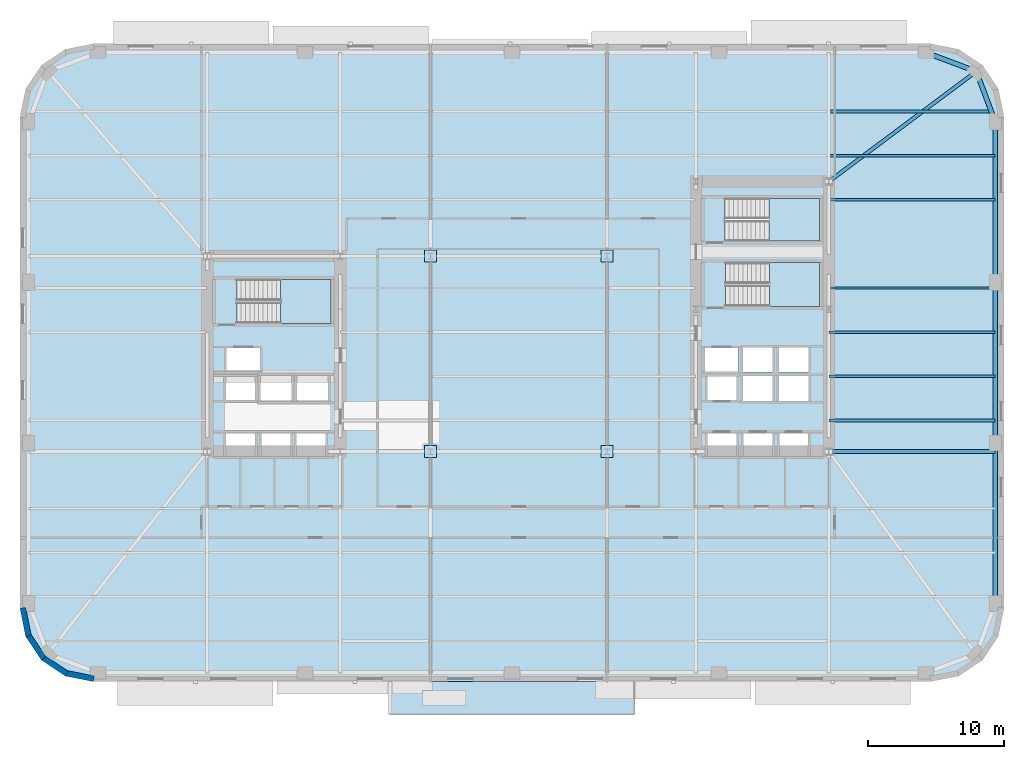
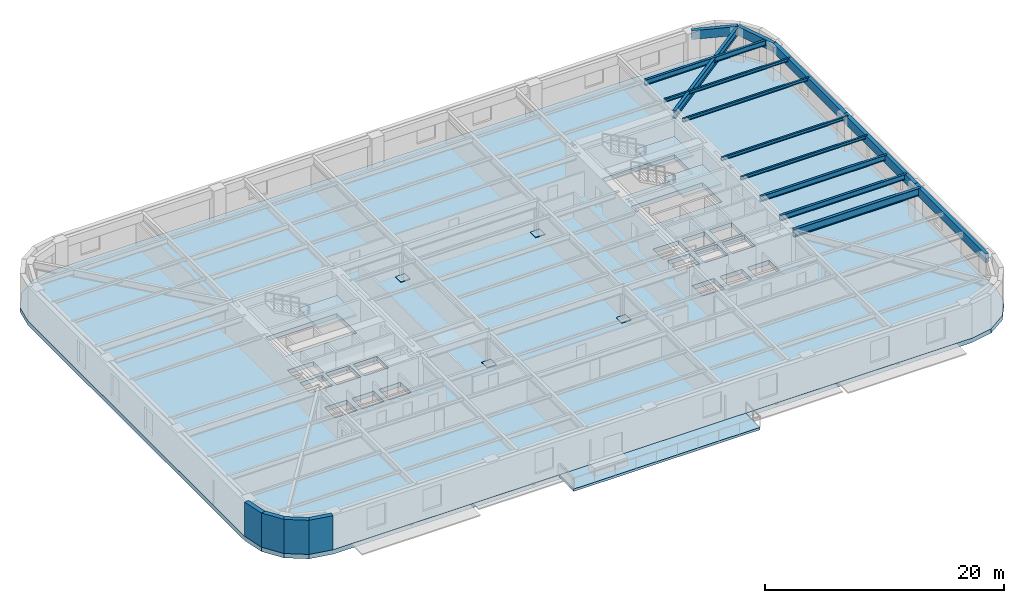
# One storey, part 3 of 15: 14 beams, 5 slabs, 4 plates, 4 walls, 3 elements without a shape of their own.
"""IFC4 building model written with IfcOpenShell, lengths in metres."""

from ifc_helpers import new_model, si_unit, direction, frame, frame_2d, origin, origin_2d, place, context, subcontext, project, spatial, polyline, rectangle, hollow_rectangle, i_section, outline, extrude, material, layer, layer_set, material_profile, profile_set, type_object, element, aggregate, save


model = new_model("IFC4")

# Units and contexts
model_context = context("Model", 3, precision=1e-05, world=origin(), true_north=direction((0.0, 1.0)))
body_context = subcontext(model_context, "Body", "Model", "MODEL_VIEW")
ifc_project = project(units=[si_unit("LENGTHUNIT", "METRE"), si_unit("AREAUNIT", "SQUARE_METRE"), si_unit("VOLUMEUNIT", "CUBIC_METRE"), si_unit("PLANEANGLEUNIT", "RADIAN"), si_unit("MASSUNIT", "GRAM", prefix="KILO")], contexts=[model_context])

# Site, building, storey
site_placement = place(None, origin())
site = spatial("IfcSite", under=ifc_project, at=site_placement, CompositionType="ELEMENT")
building_placement = place(site_placement, origin())
building = spatial("IfcBuilding", under=site, at=building_placement, Name="Kolvaren Arena Tower", CompositionType="ELEMENT")
storey_placement = place(building_placement, frame((0.0, 0.0, 42.0)))
storey = spatial("IfcBuildingStorey", under=building, at=storey_placement, Name="L07", CompositionType="ELEMENT", Elevation=42.0)

# Beams
ifc_material_1 = material(Name="Steel CSA G40.21 350W", Category="steel")
ifc_material_profile_1 = material_profile(ifc_material_1, i_section(OverallWidth=0.2119140625, OverallDepth=0.54296875, WebThickness=0.01318359375, FlangeThickness=0.0244140625, FilletRadius=0.013916015625, at=origin_2d()), Name="W530x150")
ifc_profile_set_1 = profile_set([ifc_material_profile_1], Name="Steel CSA G40.21 350W")
beam_type_1 = type_object("IfcBeamType", Name="BEAM-F1", PredefinedType="BEAM", material=ifc_profile_set_1)
for number, where, z_axis, x_axis, name in (
    (1, (60.3701171875, 21.75, 3.20849609375), (1.0, 0.0, 0.0), (0.0, 1.0, 0.0), "Composite Floor Beam (L07)"),
    (2, (60.3701171875, 25.0, 3.20849609375), (1.0, 0.0, 0.0), (0.0, 1.0, 0.0), "Composite Floor Beam (L07)"),
):
    element("IfcBeam", number, at=place(storey_placement, frame(where, z_axis=z_axis, x_axis=x_axis)), inside=storey, type_object=beam_type_1, Name=name, PredefinedType="BEAM", context=body_context, shape_type="SweptSolid", body=[
        extrude(i_section(OverallWidth=0.2119140625, OverallDepth=0.54296875, WebThickness=0.01318359375, FlangeThickness=0.0244140625, FilletRadius=0.013916015625, at=origin_2d()), origin(), (0.0, 0.0, 1.0), 12.22998046875),
    ])
beam_1_placement = place(storey_placement, frame((60.485107421875, 44.5, 3.20849609375), z_axis=(1.0, 0.0, 0.0), x_axis=(0.0, 1.0, 0.0)))
element("IfcBeam", 3, at=beam_1_placement, inside=storey, type_object=beam_type_1, Name="Composite Floor Beam (L07)", PredefinedType="BEAM", context=body_context, shape_type="SweptSolid", body=[
    extrude(i_section(OverallWidth=0.2119140625, OverallDepth=0.54296875, WebThickness=0.01318359375, FlangeThickness=0.0244140625, FilletRadius=0.013916015625, at=origin_2d()), origin(), (0.0, 0.0, 1.0), 11.83349609375),
])
ifc_material_profile_2 = material_profile(ifc_material_1, i_section(OverallWidth=0.27001953125, OverallDepth=0.77294921875, WebThickness=0.019287109375, FlangeThickness=0.033447265625, FilletRadius=0.01806640625, at=origin_2d()), Name="W760x257")
ifc_profile_set_2 = profile_set([ifc_material_profile_2], Name="Steel CSA G40.21 350W")
beam_type_2 = type_object("IfcBeamType", Name="GIRD-T1", PredefinedType="BEAM", material=ifc_profile_set_2)
beam_2_placement = place(storey_placement, frame((71.208740234375, 47.458740234375, 3.093505859375), z_axis=(-0.801249936397, -0.598329791523, 0.0), x_axis=(0.598329791523, -0.801249936397, 0.0)))
element("IfcBeam", 4, at=beam_2_placement, inside=storey, type_object=beam_type_2, Name="Corner Diagonal Tie Girder (L07)", PredefinedType="BEAM", context=body_context, shape_type="SweptSolid", body=[
    extrude(i_section(OverallWidth=0.27001953125, OverallDepth=0.77294921875, WebThickness=0.019287109375, FlangeThickness=0.033447265625, FilletRadius=0.01806640625, at=origin_2d()), origin(), (0.0, 0.0, 1.0), 13.55224609375),
])
beam_3_placement = place(storey_placement, frame((60.35009765625, 19.449951171875, 3.093505859375), z_axis=(1.0, 0.0, 0.0), x_axis=(0.0, 1.0, 0.0)))
element("IfcBeam", 5, at=beam_3_placement, inside=storey, type_object=beam_type_2, Name="Primary Floor Girder (L07)", PredefinedType="BEAM", context=body_context, shape_type="SweptSolid", body=[
    extrude(i_section(OverallWidth=0.27001953125, OverallDepth=0.77294921875, WebThickness=0.019287109375, FlangeThickness=0.033447265625, FilletRadius=0.01806640625, at=origin_2d()), origin(), (0.0, 0.0, 1.0), 12.25),
])
ifc_material_profile_3 = material_profile(ifc_material_1, i_section(OverallWidth=0.1669921875, OverallDepth=0.31689453125, WebThickness=0.007568359375, FlangeThickness=0.01318359375, FilletRadius=0.010009765625, at=origin_2d()), Name="W310x52")
ifc_profile_set_3 = profile_set([ifc_material_profile_3], Name="Steel CSA G40.21 350W")
beam_type_3 = type_object("IfcBeamType", Name="JOIST-02", PredefinedType="JOIST", material=ifc_profile_set_3)
for number, where, z_axis, x_axis, name in (
    (6, (60.3701171875, 28.25, 3.321533203125), (1.0, 0.0, 0.0), (0.0, 1.0, 0.0), "Composite Floor Joist (L07)"),
    (7, (60.3701171875, 31.5, 3.321533203125), (1.0, 0.0, 0.0), (0.0, 1.0, 0.0), "Composite Floor Joist (L07)"),
    (8, (60.3701171875, 38.0, 3.321533203125), (1.0, 0.0, 0.0), (0.0, 1.0, 0.0), "Composite Floor Joist (L07)"),
):
    element("IfcBeam", number, at=place(storey_placement, frame(where, z_axis=z_axis, x_axis=x_axis)), inside=storey, type_object=beam_type_3, Name=name, PredefinedType="JOIST", context=body_context, shape_type="SweptSolid", body=[
        extrude(i_section(OverallWidth=0.1669921875, OverallDepth=0.31689453125, WebThickness=0.007568359375, FlangeThickness=0.01318359375, FilletRadius=0.010009765625, at=origin_2d()), origin(), (0.0, 0.0, 1.0), 12.22998046875),
    ])
beam_4_placement = place(storey_placement, frame((60.485107421875, 41.25, 3.321533203125), z_axis=(1.0, 0.0, 0.0), x_axis=(0.0, 1.0, 0.0)))
element("IfcBeam", 9, at=beam_4_placement, inside=storey, type_object=beam_type_3, Name="Composite Floor Joist (L07)", PredefinedType="JOIST", context=body_context, shape_type="SweptSolid", body=[
    extrude(i_section(OverallWidth=0.1669921875, OverallDepth=0.31689453125, WebThickness=0.007568359375, FlangeThickness=0.01318359375, FilletRadius=0.010009765625, at=origin_2d()), origin(), (0.0, 0.0, 1.0), 12.114990234375),
])
ifc_material_2 = material(Name="Steel CSA G40.21 350WT", Category="steel")
ifc_material_profile_4 = material_profile(ifc_material_2, hollow_rectangle(XDim=0.35009765625, YDim=0.89990234375, WallThickness=0.02001953125, at=origin_2d()), Name="HSS 900x350x20")
ifc_profile_set_4 = profile_set([ifc_material_profile_4], Name="Steel CSA G40.21 350WT")
beam_type_4 = type_object("IfcBeamType", Name="SPAND-01", PredefinedType="SPANDREL", material=ifc_profile_set_4)
beam_5_placement = place(storey_placement, frame((72.60009765625, 8.25, 3.030029296875), z_axis=(0.0, 1.0, 0.0), x_axis=(-1.0, 0.0, 0.0)))
element("IfcBeam", 10, at=beam_5_placement, inside=storey, type_object=beam_type_4, Name="Perimeter Spandrel Beam (L07)", PredefinedType="SPANDREL", context=body_context, shape_type="SweptSolid", body=[
    extrude(hollow_rectangle(XDim=0.35009765625, YDim=0.89990234375, WallThickness=0.02001953125, at=origin_2d()), origin(), (0.0, 0.0, 1.0), 11.833251953125),
])
beam_6_placement = place(storey_placement, frame((72.60009765625, 20.083251953125, 3.030029296875), z_axis=(0.0, 1.0, 0.0), x_axis=(-1.0, 0.0, 0.0)))
element("IfcBeam", 11, at=beam_6_placement, inside=storey, type_object=beam_type_4, Name="Perimeter Spandrel Beam (L07)", PredefinedType="SPANDREL", context=body_context, shape_type="SweptSolid", body=[
    extrude(hollow_rectangle(XDim=0.35009765625, YDim=0.89990234375, WallThickness=0.02001953125, at=origin_2d()), origin(), (0.0, 0.0, 1.0), 11.83349609375),
])
beam_7_placement = place(storey_placement, frame((72.60009765625, 31.916748046875, 3.030029296875), z_axis=(0.0, 1.0, 0.0), x_axis=(-1.0, 0.0, 0.0)))
element("IfcBeam", 12, at=beam_7_placement, inside=storey, type_object=beam_type_4, Name="Perimeter Spandrel Beam (L07)", PredefinedType="SPANDREL", context=body_context, shape_type="SweptSolid", body=[
    extrude(hollow_rectangle(XDim=0.35009765625, YDim=0.89990234375, WallThickness=0.02001953125, at=origin_2d()), origin(), (0.0, 0.0, 1.0), 11.833251953125),
])
for number, where, z_axis, x_axis, name in (
    (13, (72.60009765625, 43.75, 3.030029296875), (-0.351251771955, 0.93628104365, 0.0), (-0.93628104365, -0.351251771955, 0.0), "Perimeter Spandrel Beam (L07)"),
    (14, (71.208740234375, 47.458740234375, 3.030029296875), (-0.93628104365, 0.351251771955, 0.0), (-0.351251771955, -0.93628104365, 0.0), "Perimeter Spandrel Beam (L07)"),
):
    element("IfcBeam", number, at=place(storey_placement, frame(where, z_axis=z_axis, x_axis=x_axis)), inside=storey, type_object=beam_type_4, Name=name, PredefinedType="SPANDREL", context=body_context, shape_type="SweptSolid", body=[
        extrude(hollow_rectangle(XDim=0.35009765625, YDim=0.89990234375, WallThickness=0.02001953125, at=origin_2d()), origin(), (0.0, 0.0, 1.0), 3.961181640625),
    ])

# Plates
ifc_layer_1 = layer(ifc_material_2, 0.054931640625)
ifc_layer_set_1 = layer_set([ifc_layer_1], Name="Steel CSA G40.21 350WT")
plate_type = type_object("IfcPlateType", Name="PLT-BAS-C1", PredefinedType="USERDEFINED", material=ifc_layer_set_1)
for number, where, z_axis, x_axis, name in (
    (15, (31.0, 19.449951171875, 0.0), (0.0, 0.0, 1.0), (1.0, 0.0, 0.0), "Tower Column Base Plate TC-SW"),
    (16, (44.0, 19.449951171875, 0.0), (0.0, 0.0, 1.0), (1.0, 0.0, 0.0), "Tower Column Base Plate TC-SE"),
    (17, (31.0, 33.85009765625, 0.0), (0.0, 0.0, 1.0), (1.0, 0.0, 0.0), "Tower Column Base Plate TC-NW"),
    (18, (44.0, 33.85009765625, 0.0), (0.0, 0.0, 1.0), (1.0, 0.0, 0.0), "Tower Column Base Plate TC-NE"),
):
    element("IfcPlate", number, at=place(storey_placement, frame(where, z_axis=z_axis, x_axis=x_axis)), inside=storey, type_object=plate_type, Name=name, ObjectType="BASE PLATE", PredefinedType="USERDEFINED", context=body_context, shape_type="SweptSolid", body=[
        extrude(rectangle(XDim=0.89990234375, YDim=0.89990234375, at=origin_2d()), origin(), (0.0, 0.0, 1.0), 0.054931640625),
    ])

# Stair, slab
ifc_material_3 = material(Name="Concrete 45 MPa", Category="concrete")
stair_type_1 = type_object("IfcStairType", Name="STAIR-CORE-165", PredefinedType="HALF_TURN_STAIR", material=ifc_material_3)
stair_1_placement = place(storey_placement, origin())
stair_1 = element("IfcStair", 19, at=stair_1_placement, inside=storey, type_object=stair_type_1, Name="L07 ST-W1", PredefinedType="HALF_TURN_STAIR")
ifc_layer_2 = layer(ifc_material_3, 0.199951171875)
ifc_layer_set_2 = layer_set([ifc_layer_2], Name="Concrete 45 MPa")
slab_type_1 = type_object("IfcSlabType", Name="SLAB-LAND", PredefinedType="LANDING", material=ifc_layer_set_2)
slab_1_placement = place(storey_placement, frame((0.0, 0.0, 1.675048828125)))
slab_1 = element("IfcSlab", 20, at=slab_1_placement, type_object=slab_type_1, Name="ST-W1 landing 1", PredefinedType="LANDING", context=body_context, shape_type="SweptSolid", body=[
    extrude(outline(polyline([(19.9599609375, 28.89990234375), (23.659912109375, 28.89990234375), (23.659912109375, 32.1298828125), (19.9599609375, 32.1298828125), (19.9599609375, 28.89990234375)])), origin(), (0.0, 0.0, 1.0), 0.199951171875),
])
aggregate(stair_1, [slab_1])

stair_2_placement = place(storey_placement, origin())
stair_2 = element("IfcStair", 21, at=stair_2_placement, inside=storey, type_object=stair_type_1, Name="L07 ST-E1", PredefinedType="HALF_TURN_STAIR")
slab_2_placement = place(storey_placement, frame((0.0, 0.0, 1.675048828125)))
slab_2 = element("IfcSlab", 22, at=slab_2_placement, type_object=slab_type_1, Name="ST-E1 landing 1", PredefinedType="LANDING", context=body_context, shape_type="SweptSolid", body=[
    extrude(outline(polyline([(55.9599609375, 30.14990234375), (59.659912109375, 30.14990234375), (59.659912109375, 33.3798828125), (55.9599609375, 33.3798828125), (55.9599609375, 30.14990234375)])), origin(), (0.0, 0.0, 1.0), 0.199951171875),
])
aggregate(stair_2, [slab_2])

stair_type_2 = type_object("IfcStairType", Name="STAIR-CORE-150", PredefinedType="HALF_TURN_STAIR", material=ifc_material_3)
stair_3_placement = place(storey_placement, origin())
stair_3 = element("IfcStair", 23, at=stair_3_placement, inside=storey, type_object=stair_type_2, Name="L07 ST-E2", PredefinedType="HALF_TURN_STAIR")
slab_3_placement = place(storey_placement, frame((0.0, 0.0, 1.675048828125)))
slab_3 = element("IfcSlab", 24, at=slab_3_placement, type_object=slab_type_1, Name="ST-E2 landing 1", PredefinedType="LANDING", context=body_context, shape_type="SweptSolid", body=[
    extrude(outline(polyline([(55.919921875, 34.949951171875), (59.659912109375, 34.949951171875), (59.659912109375, 38.10009765625), (55.919921875, 38.10009765625), (55.919921875, 34.949951171875)])), origin(), (0.0, 0.0, 1.0), 0.199951171875),
])
aggregate(stair_3, [slab_3])

# Slabs
ifc_layer_3 = layer(ifc_material_3, 0.2548828125)
ifc_layer_set_3 = layer_set([ifc_layer_3], Name="Concrete 45 MPa")
slab_type_2 = type_object("IfcSlabType", Name="SLAB-TERR", PredefinedType="FLOOR", material=ifc_layer_set_3)
slab_4_placement = place(storey_placement, frame((0.0, 0.0, -0.25)))
element("IfcSlab", 25, at=slab_4_placement, inside=storey, type_object=slab_type_2, Name="L07 Planted Setback Roof Terrace Slab", PredefinedType="FLOOR", context=body_context, shape_type="SweptSolid", body=[
    extrude(outline(polyline([(28.0, 0.10009765625), (46.0, 0.10009765625), (46.0, 2.5), (28.0, 2.5), (28.0, 0.10009765625)])), origin(), (0.0, 0.0, 1.0), 0.25),
])
ifc_material_4 = material(Name="Concrete 60 MPa", Category="concrete")
ifc_layer_4 = layer(ifc_material_4, 0.449951171875)
ifc_layer_set_4 = layer_set([ifc_layer_4], Name="Concrete 60 MPa")
slab_type_3 = type_object("IfcSlabType", Name="SLAB-TRANS", PredefinedType="FLOOR", material=ifc_layer_set_4)
slab_5_placement = place(storey_placement, frame((0.0, 0.0, -0.449951171875)))
element("IfcSlab", 26, at=slab_5_placement, inside=storey, type_object=slab_type_3, Name="L07 Primary Structural Slab", PredefinedType="FLOOR", context=body_context, shape_type="SweptSolid", body=[
    extrude(outline(polyline([(67.85009765625, 2.5), (69.91650390625, 2.9111328125), (71.66845703125, 4.08154296875), (72.8388671875, 5.83349609375), (73.25, 7.89990234375), (73.25, 44.10009765625), (72.8388671875, 46.16650390625), (71.66845703125, 47.91845703125), (69.91650390625, 49.0888671875), (67.85009765625, 49.5), (6.14990234375, 49.5), (4.08349609375, 49.0888671875), (2.33154296875, 47.91845703125), (1.1611328125, 46.16650390625), (0.75, 44.10009765625), (0.75, 7.89990234375), (1.1611328125, 5.83349609375), (2.33154296875, 4.08154296875), (4.08349609375, 2.9111328125), (6.14990234375, 2.5), (67.85009765625, 2.5)]), holes=[polyline([(15.93505859375, 19.0849609375), (15.93505859375, 20.81494140625), (18.06494140625, 20.81494140625), (18.06494140625, 19.0849609375), (15.93505859375, 19.0849609375)]), polyline([(18.534912109375, 19.0849609375), (18.534912109375, 20.81494140625), (20.6650390625, 20.81494140625), (20.6650390625, 19.0849609375), (18.534912109375, 19.0849609375)]), polyline([(21.135009765625, 19.0849609375), (21.135009765625, 20.81494140625), (23.264892578125, 20.81494140625), (23.264892578125, 19.0849609375), (21.135009765625, 19.0849609375)]), polyline([(51.39501953125, 19.0849609375), (51.39501953125, 20.81494140625), (53.52490234375, 20.81494140625), (53.52490234375, 19.0849609375), (51.39501953125, 19.0849609375)]), polyline([(54.054931640625, 19.0849609375), (54.054931640625, 20.81494140625), (56.18505859375, 20.81494140625), (56.18505859375, 19.0849609375), (54.054931640625, 19.0849609375)]), polyline([(56.695068359375, 19.0849609375), (56.695068359375, 20.81494140625), (58.824951171875, 20.81494140625), (58.824951171875, 19.0849609375), (56.695068359375, 19.0849609375)]), polyline([(18.4599609375, 23.135009765625), (18.4599609375, 25.06494140625), (20.739990234375, 25.06494140625), (20.739990234375, 23.135009765625), (18.4599609375, 23.135009765625)]), polyline([(21.159912109375, 23.135009765625), (21.159912109375, 25.06494140625), (23.43994140625, 25.06494140625), (23.43994140625, 23.135009765625), (21.159912109375, 23.135009765625)]), polyline([(54.030029296875, 25.014892578125), (56.2099609375, 25.014892578125), (56.2099609375, 23.18505859375), (54.030029296875, 23.18505859375), (54.030029296875, 25.014892578125)]), polyline([(56.669921875, 25.014892578125), (58.85009765625, 25.014892578125), (58.85009765625, 23.18505859375), (56.669921875, 23.18505859375), (56.669921875, 25.014892578125)]), polyline([(15.93505859375, 23.235107421875), (15.93505859375, 24.965087890625), (18.06494140625, 24.965087890625), (18.06494140625, 23.235107421875), (15.93505859375, 23.235107421875)]), polyline([(51.39501953125, 24.965087890625), (53.52490234375, 24.965087890625), (53.52490234375, 23.235107421875), (51.39501953125, 23.235107421875), (51.39501953125, 24.965087890625)]), polyline([(54.030029296875, 25.284912109375), (54.030029296875, 27.114990234375), (56.2099609375, 27.114990234375), (56.2099609375, 25.284912109375), (54.030029296875, 25.284912109375)]), polyline([(56.669921875, 25.284912109375), (56.669921875, 27.114990234375), (58.85009765625, 27.114990234375), (58.85009765625, 25.284912109375), (56.669921875, 25.284912109375)]), polyline([(15.9599609375, 27.06494140625), (18.43994140625, 27.06494140625), (18.43994140625, 25.3349609375), (15.9599609375, 25.3349609375), (15.9599609375, 27.06494140625)]), polyline([(51.219970703125, 25.3349609375), (51.219970703125, 27.06494140625), (53.699951171875, 27.06494140625), (53.699951171875, 25.3349609375), (51.219970703125, 25.3349609375)]), polyline([(16.735107421875, 28.89990234375), (16.735107421875, 32.1298828125), (23.659912109375, 32.1298828125), (23.659912109375, 28.89990234375), (16.735107421875, 28.89990234375)]), polyline([(52.735107421875, 33.3798828125), (59.659912109375, 33.3798828125), (59.659912109375, 30.14990234375), (52.735107421875, 30.14990234375), (52.735107421875, 33.3798828125)]), polyline([(52.695068359375, 38.10009765625), (59.659912109375, 38.10009765625), (59.659912109375, 34.949951171875), (52.695068359375, 34.949951171875), (52.695068359375, 38.10009765625)])]), origin(), (0.0, 0.0, 1.0), 0.449951171875),
])

# Walls
ifc_material_5 = material(Name="Precast concrete C50/60", Category="concrete")
ifc_layer_5 = layer(ifc_material_5, 0.419921875)
ifc_layer_set_5 = layer_set([ifc_layer_5], Name="Precast concrete C50/60")
wall_type = type_object("IfcWallType", Name="EXT-PIER1", PredefinedType="SOLIDWALL", material=ifc_layer_set_5)
for number, where, z_axis, x_axis, name in (
    (27, (1.3671875, 5.87451171875, 0.0), (0.0, 0.0, 1.0), (-0.195135546048, 0.9807762837, 0.0), "Exterior Precast Masonry-Frame Wall (L07)"),
    (28, (2.506103515625, 4.1982421875, 0.0), (0.0, 0.0, 1.0), (-0.555502146192, 0.831515102434, 0.0), "Exterior Precast Masonry-Frame Wall (L07)"),
    (29, (4.2001953125, 3.085693359375, 0.0), (0.0, 0.0, 1.0), (-0.831515102434, 0.555502146192, 0.0), "Exterior Precast Masonry-Frame Wall (L07)"),
    (30, (6.19091796875, 2.7060546875, 0.0), (0.0, 0.0, 1.0), (-0.9807762837, 0.195135546048, 0.0), "Exterior Precast Masonry-Frame Wall (L07)"),
):
    element("IfcWall", number, at=place(storey_placement, frame(where, z_axis=z_axis, x_axis=x_axis)), inside=storey, type_object=wall_type, Name=name, PredefinedType="SOLIDWALL", context=body_context, shape_type="SweptSolid", body=[
        extrude(rectangle(XDim=2.10693359375, YDim=0.419921875, at=frame_2d((1.053466796875, 0.0))), origin(), (0.0, 0.0, 1.0), 3.47998046875),
    ])

save(model, "model.ifc")
